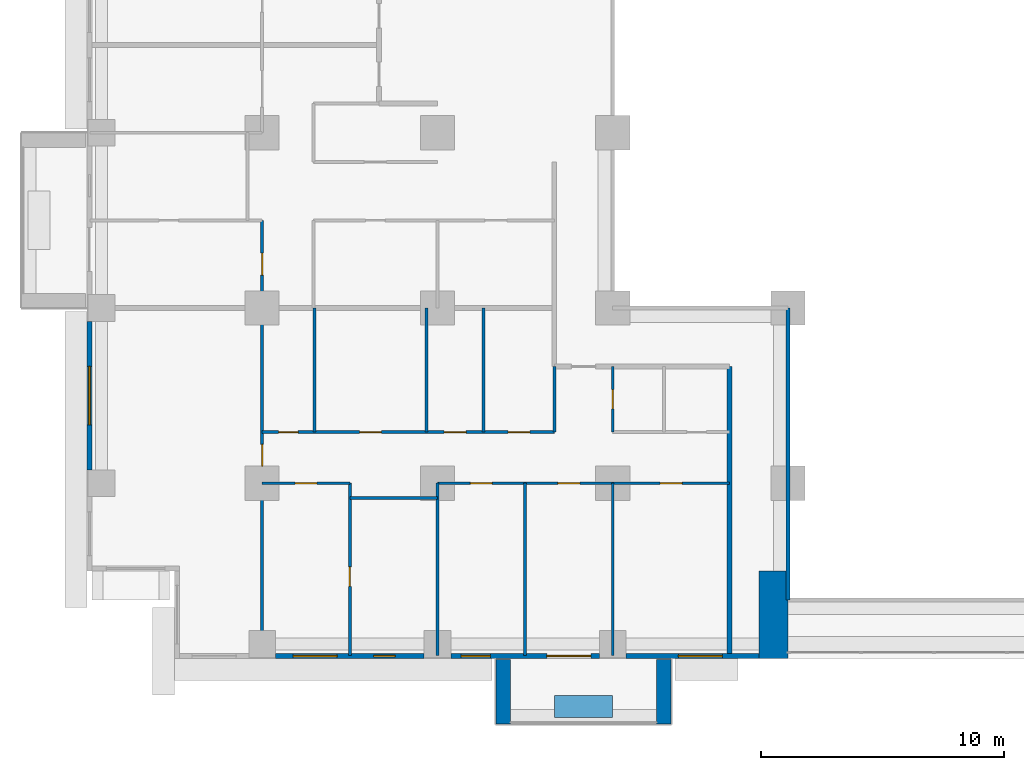
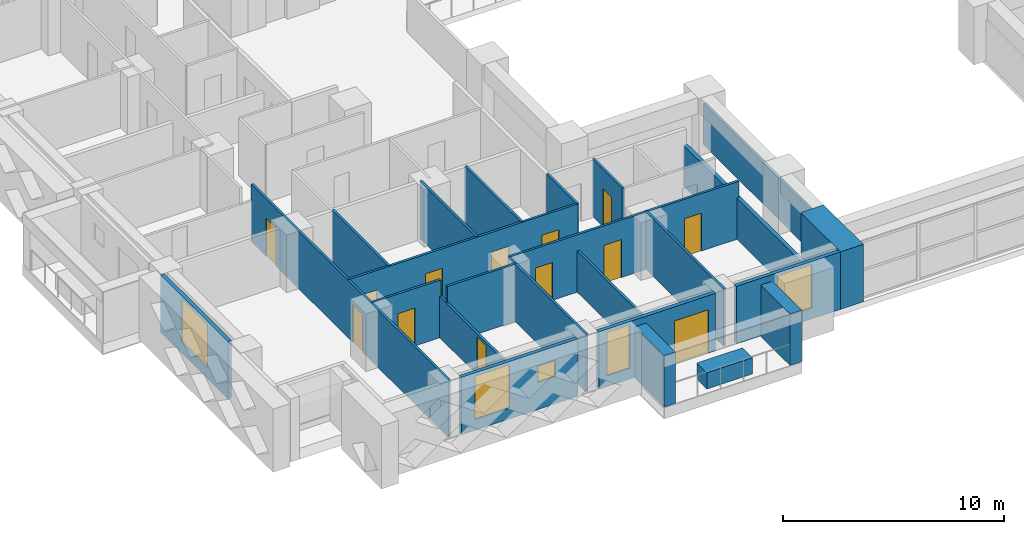
# One storey, part 6 of 17: 24 walls, 13 doors, 5 windows, 18 openings.
"""IFC4 building model written with IfcOpenShell, lengths in metres."""

from ifc_helpers import new_model, si_unit, direction, frame, frame_2d, origin, place, context, subcontext, project, spatial, rectangle, extrude, material, layer, layer_set, type_object, element, fill, save


model = new_model("IFC4")

# Units and contexts
model_context = context("Model", 3, precision=1e-05, world=origin(), true_north=direction((0.0, 1.0)))
body_context = subcontext(model_context, "Body", "Model", "MODEL_VIEW")
ifc_project = project(units=[si_unit("LENGTHUNIT", "METRE"), si_unit("AREAUNIT", "SQUARE_METRE"), si_unit("VOLUMEUNIT", "CUBIC_METRE"), si_unit("PLANEANGLEUNIT", "RADIAN"), si_unit("MASSUNIT", "GRAM", prefix="KILO")], contexts=[model_context])

# Site, building, storey
site_placement = place(None, origin())
site = spatial("IfcSite", under=ifc_project, at=site_placement, CompositionType="ELEMENT")
building_placement = place(site_placement, origin())
building = spatial("IfcBuilding", under=site, at=building_placement, Name="Saffron Iwan Residences", CompositionType="ELEMENT")
storey_placement = place(building_placement, frame((0.0, 0.0, 58.5)))
storey = spatial("IfcBuildingStorey", under=building, at=storey_placement, Name="L14", CompositionType="ELEMENT", Elevation=58.5)

# Walls
ifc_material_1 = material(Name="Fire-rated glazing", Category="glass")
ifc_layer_1 = layer(ifc_material_1, 0.14990234375)
ifc_layer_set_1 = layer_set([ifc_layer_1], Name="Fire-rated glazing")
wall_type_1 = type_object("IfcWallType", Name="Atrium glazed screen 150", PredefinedType="SOLIDWALL", material=ifc_layer_set_1)
wall_1_placement = place(storey_placement, frame((43.199951171875, 36.0, 0.0), z_axis=(0.0, 0.0, 1.0), x_axis=(0.0, 1.0, 0.0)))
element("IfcWall", 1, at=wall_1_placement, inside=storey, type_object=wall_type_1, Name="W-L14-SCREEN-v43.2-36", PredefinedType="SOLIDWALL", context=body_context, shape_type="SweptSolid", body=[
    extrude(rectangle(XDim=12.0, YDim=0.14990234375, at=frame_2d((6.0, 0.0))), origin(), (0.0, 0.0, 1.0), 2.280029296875),
])
ifc_material_2 = material(Name="Concrete C50/60 white painted", Category="concrete")
ifc_layer_2 = layer(ifc_material_2, 0.60009765625)
ifc_layer_set_2 = layer_set([ifc_layer_2], Name="Concrete C50/60 white painted")
wall_type_2 = type_object("IfcWallType", Name="BALCONY FIN 600", PredefinedType="SOLIDWALL", material=ifc_layer_set_2)
for number, where, z_axis, x_axis, name in (
    (2, (31.5, 33.550048828125, 0.0), (0.0, 0.0, 1.0), (0.0, -1.0, 0.0), "Balcony fin L14 11-0a"),
    (3, (38.10009765625, 33.550048828125, 0.0), (0.0, 0.0, 1.0), (0.0, -1.0, 0.0), "Balcony fin L14 11-0b"),
):
    element("IfcWall", number, at=place(storey_placement, frame(where, z_axis=z_axis, x_axis=x_axis)), inside=storey, type_object=wall_type_2, Name=name, PredefinedType="SOLIDWALL", context=body_context, shape_type="SweptSolid", body=[
        extrude(rectangle(XDim=2.650146484375, YDim=0.60009765625, at=frame_2d((1.3251953125, 0.0))), origin(), (0.0, 0.0, 1.0), 2.85009765625),
    ])
ifc_material_3 = material(Name="Concrete C35/45 white painted", Category="concrete")
ifc_layer_3 = layer(ifc_material_3, 0.14990234375)
ifc_layer_set_3 = layer_set([ifc_layer_3], Name="Concrete C35/45 white painted")
wall_type_3 = type_object("IfcWallType", Name="BALCONY PLANTER", PredefinedType="SOLIDWALL", material=ifc_layer_set_3)
wall_2_placement = place(storey_placement, frame((33.60009765625, 31.625, 0.0), z_axis=(0.0, 0.0, 1.0), x_axis=(1.0, 0.0, 0.0)))
element("IfcWall", 4, at=wall_2_placement, inside=storey, type_object=wall_type_3, Name="PLANTER L14 11-0", PredefinedType="SOLIDWALL", context=body_context, shape_type="SweptSolid", body=[
    extrude(rectangle(XDim=2.39990234375, YDim=0.89990234375, at=frame_2d((1.199951171875, 0.0))), origin(), (0.0, 0.0, 1.0), 0.89990234375),
])

# Wall, opening, window
ifc_material_4 = material(Name="Concrete C40/50", Category="concrete")
ifc_layer_4 = layer(ifc_material_4, 0.199951171875)
ifc_layer_set_4 = layer_set([ifc_layer_4], Name="Concrete C40/50")
wall_type_4 = type_object("IfcWallType", Name="EXTERNAL WALL 200", PredefinedType="SOLIDWALL", material=ifc_layer_set_4)
wall_3_placement = place(storey_placement, frame((14.5, 47.449951171875, 0.0), z_axis=(0.0, 0.0, 1.0), x_axis=(0.0, -1.0, 0.0)))
wall_3 = element("IfcWall", 5, at=wall_3_placement, inside=storey, type_object=wall_type_4, Name="External wall L14 F8.4", PredefinedType="SOLIDWALL", context=body_context, shape_type="SweptSolid", body=[
    extrude(rectangle(XDim=6.099853515625, YDim=0.199951171875, at=frame_2d((3.0498046875, 0.0))), origin(), (0.0, 0.0, 1.0), 3.179931640625),
])
opening_1_placement = place(wall_3_placement, frame((1.85009765625, 0.0, 0.60009765625)))
opening_1 = element("IfcOpeningElement", 6, at=opening_1_placement, cuts=wall_3, Name="Opening W1", PredefinedType="OPENING", context=body_context, shape_type="SweptSolid", body=[
    extrude(rectangle(XDim=2.39990234375, YDim=2.39990234375, at=frame_2d((1.199951171875, 1.199951171875))), frame((0.0, 0.10986328125, 0.0), z_axis=(0.0, -1.0, 0.0), x_axis=(1.0, 0.0, 0.0)), (0.0, 0.0, 1.0), 0.219970703125),
])
ifc_material_5 = material(Name="Clear glass, laminated double glazed", Category="glass")
window_type_1 = type_object("IfcWindowType", Name="WINDOW 2400 x 2400", PartitioningType="DOUBLE_PANEL_VERTICAL", PredefinedType="WINDOW", material=ifc_material_5)
window_1_placement = place(opening_1_placement, origin())
window_1 = element("IfcWindow", 7, at=window_1_placement, inside=storey, type_object=window_type_1, Name="Window L14 F8.0", OverallHeight=2.39990234375, OverallWidth=2.39990234375, PartitioningType="DOUBLE_PANEL_VERTICAL", PredefinedType="WINDOW", context=body_context, shape_type="SweptSolid", body=[
    extrude(rectangle(XDim=2.39990234375, YDim=2.39990234375, at=frame_2d((1.199951171875, 1.199951171875))), frame((0.0, 0.030029296875, 0.0), z_axis=(0.0, -1.0, 0.0), x_axis=(1.0, 0.0, 0.0)), (0.0, 0.0, 1.0), 0.06005859375),
])
fill(opening_1, window_1)

# Wall, openings, windows
wall_4_placement = place(storey_placement, frame((22.14990234375, 33.699951171875, 0.0), z_axis=(0.0, 0.0, 1.0), x_axis=(1.0, 0.0, 0.0)))
wall_4 = element("IfcWall", 8, at=wall_4_placement, inside=storey, type_object=wall_type_4, Name="External wall L14 F11.1", PredefinedType="SOLIDWALL", context=body_context, shape_type="SweptSolid", body=[
    extrude(rectangle(XDim=6.10009765625, YDim=0.199951171875, at=frame_2d((3.050048828125, 0.0))), origin(), (0.0, 0.0, 1.0), 3.179931640625),
])
opening_2_placement = place(wall_4_placement, frame((0.72509765625, 0.0, 0.60009765625)))
opening_2 = element("IfcOpeningElement", 9, at=opening_2_placement, cuts=wall_4, Name="Opening W8", PredefinedType="OPENING", context=body_context, shape_type="SweptSolid", body=[
    extrude(rectangle(XDim=1.800048828125, YDim=2.39990234375, at=frame_2d((0.89990234375, 1.199951171875))), frame((0.0, 0.10986328125, 0.0), z_axis=(0.0, -1.0, 0.0), x_axis=(1.0, 0.0, 0.0)), (0.0, 0.0, 1.0), 0.219970703125),
])
opening_3_placement = place(wall_4_placement, frame((4.02490234375, 0.0, 1.5)))
opening_3 = element("IfcOpeningElement", 10, at=opening_3_placement, cuts=wall_4, Name="Opening W6", PredefinedType="OPENING", context=body_context, shape_type="SweptSolid", body=[
    extrude(rectangle(XDim=0.89990234375, YDim=0.89990234375, at=frame_2d((0.449951171875, 0.449951171875))), frame((0.0, 0.10986328125, 0.0), z_axis=(0.0, -1.0, 0.0), x_axis=(1.0, 0.0, 0.0)), (0.0, 0.0, 1.0), 0.219970703125),
])
window_type_2 = type_object("IfcWindowType", Name="WINDOW 1800 x 2400", PartitioningType="DOUBLE_PANEL_VERTICAL", PredefinedType="WINDOW", material=ifc_material_5)
window_2_placement = place(opening_2_placement, origin())
window_2 = element("IfcWindow", 11, at=window_2_placement, inside=storey, type_object=window_type_2, Name="Window L14 F11.0", OverallHeight=2.39990234375, OverallWidth=1.800048828125, PartitioningType="DOUBLE_PANEL_VERTICAL", PredefinedType="WINDOW", context=body_context, shape_type="SweptSolid", body=[
    extrude(rectangle(XDim=1.800048828125, YDim=2.39990234375, at=frame_2d((0.89990234375, 1.199951171875))), frame((0.0, 0.030029296875, 0.0), z_axis=(0.0, -1.0, 0.0), x_axis=(1.0, 0.0, 0.0)), (0.0, 0.0, 1.0), 0.06005859375),
])
fill(opening_2, window_2)
window_type_3 = type_object("IfcWindowType", Name="WINDOW 900 x 900 BATH", PartitioningType="SINGLE_PANEL", PredefinedType="WINDOW", material=ifc_material_5)
window_3_placement = place(opening_3_placement, origin())
window_3 = element("IfcWindow", 12, at=window_3_placement, inside=storey, type_object=window_type_3, Name="Window L14 F11.1", OverallHeight=0.89990234375, OverallWidth=0.89990234375, PartitioningType="SINGLE_PANEL", PredefinedType="WINDOW", context=body_context, shape_type="SweptSolid", body=[
    extrude(rectangle(XDim=0.89990234375, YDim=0.89990234375, at=frame_2d((0.449951171875, 0.449951171875))), frame((0.0, 0.030029296875, 0.0), z_axis=(0.0, -1.0, 0.0), x_axis=(1.0, 0.0, 0.0)), (0.0, 0.0, 1.0), 0.06005859375),
])
fill(opening_3, window_3)

# Wall, openings, door, window
wall_5_placement = place(storey_placement, frame((29.35009765625, 33.699951171875, 0.0), z_axis=(0.0, 0.0, 1.0), x_axis=(1.0, 0.0, 0.0)))
wall_5 = element("IfcWall", 13, at=wall_5_placement, inside=storey, type_object=wall_type_4, Name="External wall L14 F11.2", PredefinedType="SOLIDWALL", context=body_context, shape_type="SweptSolid", body=[
    extrude(rectangle(XDim=6.099853515625, YDim=0.199951171875, at=frame_2d((3.0498046875, 0.0))), origin(), (0.0, 0.0, 1.0), 3.179931640625),
])
opening_4_placement = place(wall_5_placement, frame((3.949951171875, 0.0, 0.0)))
opening_4 = element("IfcOpeningElement", 14, at=opening_4_placement, cuts=wall_5, Name="Opening BD1", PredefinedType="OPENING", context=body_context, shape_type="SweptSolid", body=[
    extrude(rectangle(XDim=1.800048828125, YDim=2.39990234375, at=frame_2d((0.89990234375, 1.199951171875))), frame((0.0, 0.10986328125, 0.0), z_axis=(0.0, -1.0, 0.0), x_axis=(1.0, 0.0, 0.0)), (0.0, 0.0, 1.0), 0.219970703125),
])
opening_5_placement = place(wall_5_placement, frame((0.425048828125, 0.0, 0.60009765625)))
opening_5 = element("IfcOpeningElement", 15, at=opening_5_placement, cuts=wall_5, Name="Opening W3", PredefinedType="OPENING", context=body_context, shape_type="SweptSolid", body=[
    extrude(rectangle(XDim=1.199951171875, YDim=2.39990234375, at=frame_2d((0.60009765625, 1.199951171875))), frame((0.0, 0.10986328125, 0.0), z_axis=(0.0, -1.0, 0.0), x_axis=(1.0, 0.0, 0.0)), (0.0, 0.0, 1.0), 0.219970703125),
])
door_type_1 = type_object("IfcDoorType", Name="BALCONY DOOR 1800 x 2400", OperationType="DOUBLE_DOOR_SLIDING", PredefinedType="DOOR", material=ifc_material_5)
door_1_placement = place(opening_4_placement, origin())
door_1 = element("IfcDoor", 16, at=door_1_placement, inside=storey, type_object=door_type_1, Name="Balcony door L14 F11.0", OperationType="DOUBLE_DOOR_SLIDING", OverallHeight=2.39990234375, OverallWidth=1.800048828125, PredefinedType="DOOR", context=body_context, shape_type="SweptSolid", body=[
    extrude(rectangle(XDim=1.800048828125, YDim=2.39990234375, at=frame_2d((0.89990234375, 1.199951171875))), frame((0.0, 0.02490234375, 0.0), z_axis=(0.0, -1.0, 0.0), x_axis=(1.0, 0.0, 0.0)), (0.0, 0.0, 1.0), 0.050048828125),
])
fill(opening_4, door_1)
window_type_4 = type_object("IfcWindowType", Name="WINDOW 1200 x 2400", PartitioningType="SINGLE_PANEL", PredefinedType="WINDOW", material=ifc_material_5)
window_4_placement = place(opening_5_placement, origin())
window_4 = element("IfcWindow", 17, at=window_4_placement, inside=storey, type_object=window_type_4, Name="Window L14 F11.1", OverallHeight=2.39990234375, OverallWidth=1.199951171875, PartitioningType="SINGLE_PANEL", PredefinedType="WINDOW", context=body_context, shape_type="SweptSolid", body=[
    extrude(rectangle(XDim=1.199951171875, YDim=2.39990234375, at=frame_2d((0.60009765625, 1.199951171875))), frame((0.0, 0.030029296875, 0.0), z_axis=(0.0, -1.0, 0.0), x_axis=(1.0, 0.0, 0.0)), (0.0, 0.0, 1.0), 0.06005859375),
])
fill(opening_5, window_4)

# Wall, opening, window
wall_6_placement = place(storey_placement, frame((36.550048828125, 33.699951171875, 0.0), z_axis=(0.0, 0.0, 1.0), x_axis=(1.0, 0.0, 0.0)))
wall_6 = element("IfcWall", 18, at=wall_6_placement, inside=storey, type_object=wall_type_4, Name="External wall L14 F11.3", PredefinedType="SOLIDWALL", context=body_context, shape_type="SweptSolid", body=[
    extrude(rectangle(XDim=5.449951171875, YDim=0.199951171875, at=frame_2d((2.72509765625, 0.0))), origin(), (0.0, 0.0, 1.0), 3.179931640625),
])
opening_6_placement = place(wall_6_placement, frame((2.14990234375, 0.0, 0.60009765625)))
opening_6 = element("IfcOpeningElement", 19, at=opening_6_placement, cuts=wall_6, Name="Opening W8", PredefinedType="OPENING", context=body_context, shape_type="SweptSolid", body=[
    extrude(rectangle(XDim=1.800048828125, YDim=2.39990234375, at=frame_2d((0.89990234375, 1.199951171875))), frame((0.0, 0.10986328125, 0.0), z_axis=(0.0, -1.0, 0.0), x_axis=(1.0, 0.0, 0.0)), (0.0, 0.0, 1.0), 0.219970703125),
])
window_5_placement = place(opening_6_placement, origin())
window_5 = element("IfcWindow", 20, at=window_5_placement, inside=storey, type_object=window_type_2, Name="Window L14 F11.0", OverallHeight=2.39990234375, OverallWidth=1.800048828125, PartitioningType="DOUBLE_PANEL_VERTICAL", PredefinedType="WINDOW", context=body_context, shape_type="SweptSolid", body=[
    extrude(rectangle(XDim=1.800048828125, YDim=2.39990234375, at=frame_2d((0.89990234375, 1.199951171875))), frame((0.0, 0.030029296875, 0.0), z_axis=(0.0, -1.0, 0.0), x_axis=(1.0, 0.0, 0.0)), (0.0, 0.0, 1.0), 0.06005859375),
])
fill(opening_6, window_5)

# Wall
ifc_material_6 = material(Name="Gypsum board partition")
ifc_layer_5 = layer(ifc_material_6, 0.1201171875)
ifc_layer_set_5 = layer_set([ifc_layer_5], Name="Gypsum board partition")
wall_type_5 = type_object("IfcWallType", Name="Flat partition 120", PredefinedType="PARTITIONING", material=ifc_layer_set_5)
wall_7_placement = place(storey_placement, frame((25.199951171875, 40.199951171875, 0.0), z_axis=(0.0, 0.0, 1.0), x_axis=(1.0, 0.0, 0.0)))
element("IfcWall", 21, at=wall_7_placement, inside=storey, type_object=wall_type_5, Name="W-L14-PART-h40.2-25.2", PredefinedType="PARTITIONING", context=body_context, shape_type="SweptSolid", body=[
    extrude(rectangle(XDim=3.60009765625, YDim=0.1201171875, at=frame_2d((1.800048828125, 0.0))), origin(), (0.0, 0.0, 1.0), 3.179931640625),
])

# Wall, opening, door
wall_8_placement = place(storey_placement, frame((21.60009765625, 40.800048828125, 0.0), z_axis=(0.0, 0.0, 1.0), x_axis=(1.0, 0.0, 0.0)))
wall_8 = element("IfcWall", 22, at=wall_8_placement, inside=storey, type_object=wall_type_5, Name="W-L14-PART-h40.8-21.6", PredefinedType="PARTITIONING", context=body_context, shape_type="SweptSolid", body=[
    extrude(rectangle(XDim=3.599853515625, YDim=0.1201171875, at=frame_2d((1.7998046875, 0.0))), origin(), (0.0, 0.0, 1.0), 3.179931640625),
])
opening_7_placement = place(wall_8_placement, frame((1.35009765625, 0.0, 0.0)))
opening_7 = element("IfcOpeningElement", 23, at=opening_7_placement, cuts=wall_8, Name="Opening FD2", PredefinedType="OPENING", context=body_context, shape_type="SweptSolid", body=[
    extrude(rectangle(XDim=0.89990234375, YDim=2.10009765625, at=frame_2d((0.449951171875, 1.050048828125))), frame((0.0, 0.070068359375, 0.0), z_axis=(0.0, -1.0, 0.0), x_axis=(1.0, 0.0, 0.0)), (0.0, 0.0, 1.0), 0.14013671875),
])
ifc_material_7 = material(Name="Timber door", Category="wood")
door_type_2 = type_object("IfcDoorType", Name="Flat door 900", OperationType="NOTDEFINED", PredefinedType="DOOR", material=ifc_material_7)
door_2_placement = place(opening_7_placement, origin())
door_2 = element("IfcDoor", 24, at=door_2_placement, inside=storey, type_object=door_type_2, Name="Door L14-003", OperationType="SINGLE_SWING_LEFT", OverallHeight=2.10009765625, OverallWidth=0.89990234375, PredefinedType="DOOR", context=body_context, shape_type="SweptSolid", body=[
    extrude(rectangle(XDim=0.89990234375, YDim=2.10009765625, at=frame_2d((0.449951171875, 1.050048828125))), frame((0.0, 0.02490234375, 0.0), z_axis=(0.0, -1.0, 0.0), x_axis=(1.0, 0.0, 0.0)), (0.0, 0.0, 1.0), 0.050048828125),
])
fill(opening_7, door_2)

# Wall, openings, doors
wall_9_placement = place(storey_placement, frame((28.800048828125, 40.800048828125, 0.0), z_axis=(0.0, 0.0, 1.0), x_axis=(1.0, 0.0, 0.0)))
wall_9 = element("IfcWall", 25, at=wall_9_placement, inside=storey, type_object=wall_type_5, Name="W-L14-PART-h40.8-28.8", PredefinedType="PARTITIONING", context=body_context, shape_type="SweptSolid", body=[
    extrude(rectangle(XDim=12.0, YDim=0.1201171875, at=frame_2d((6.0, 0.0))), origin(), (0.0, 0.0, 1.0), 3.179931640625),
])
opening_8_placement = place(wall_9_placement, frame((1.35009765625, 0.0, 0.0)))
opening_8 = element("IfcOpeningElement", 26, at=opening_8_placement, cuts=wall_9, Name="Opening FD2", PredefinedType="OPENING", context=body_context, shape_type="SweptSolid", body=[
    extrude(rectangle(XDim=0.89990234375, YDim=2.10009765625, at=frame_2d((0.449951171875, 1.050048828125))), frame((0.0, 0.070068359375, 0.0), z_axis=(0.0, -1.0, 0.0), x_axis=(1.0, 0.0, 0.0)), (0.0, 0.0, 1.0), 0.14013671875),
])
opening_9_placement = place(wall_9_placement, frame((4.949951171875, 0.0, 0.0)))
opening_9 = element("IfcOpeningElement", 27, at=opening_9_placement, cuts=wall_9, Name="Opening FD2", PredefinedType="OPENING", context=body_context, shape_type="SweptSolid", body=[
    extrude(rectangle(XDim=0.89990234375, YDim=2.10009765625, at=frame_2d((0.449951171875, 1.050048828125))), frame((0.0, 0.070068359375, 0.0), z_axis=(0.0, -1.0, 0.0), x_axis=(1.0, 0.0, 0.0)), (0.0, 0.0, 1.0), 0.14013671875),
])
opening_10_placement = place(wall_9_placement, frame((9.14990234375, 0.0, 0.0)))
opening_10 = element("IfcOpeningElement", 28, at=opening_10_placement, cuts=wall_9, Name="Opening FD2", PredefinedType="OPENING", context=body_context, shape_type="SweptSolid", body=[
    extrude(rectangle(XDim=0.89990234375, YDim=2.10009765625, at=frame_2d((0.449951171875, 1.050048828125))), frame((0.0, 0.070068359375, 0.0), z_axis=(0.0, -1.0, 0.0), x_axis=(1.0, 0.0, 0.0)), (0.0, 0.0, 1.0), 0.14013671875),
])
door_3_placement = place(opening_8_placement, origin())
door_3 = element("IfcDoor", 29, at=door_3_placement, inside=storey, type_object=door_type_2, Name="Door L14-005", OperationType="SINGLE_SWING_RIGHT", OverallHeight=2.10009765625, OverallWidth=0.89990234375, PredefinedType="DOOR", context=body_context, shape_type="SweptSolid", body=[
    extrude(rectangle(XDim=0.89990234375, YDim=2.10009765625, at=frame_2d((0.449951171875, 1.050048828125))), frame((0.0, 0.02490234375, 0.0), z_axis=(0.0, -1.0, 0.0), x_axis=(1.0, 0.0, 0.0)), (0.0, 0.0, 1.0), 0.050048828125),
])
fill(opening_8, door_3)
door_4_placement = place(opening_9_placement, origin())
door_4 = element("IfcDoor", 30, at=door_4_placement, inside=storey, type_object=door_type_2, Name="Door L14-006", OperationType="SINGLE_SWING_LEFT", OverallHeight=2.10009765625, OverallWidth=0.89990234375, PredefinedType="DOOR", context=body_context, shape_type="SweptSolid", body=[
    extrude(rectangle(XDim=0.89990234375, YDim=2.10009765625, at=frame_2d((0.449951171875, 1.050048828125))), frame((0.0, 0.02490234375, 0.0), z_axis=(0.0, -1.0, 0.0), x_axis=(1.0, 0.0, 0.0)), (0.0, 0.0, 1.0), 0.050048828125),
])
fill(opening_9, door_4)
door_5_placement = place(opening_10_placement, origin())
door_5 = element("IfcDoor", 31, at=door_5_placement, inside=storey, type_object=door_type_2, Name="Door L14-007", OperationType="SINGLE_SWING_LEFT", OverallHeight=2.10009765625, OverallWidth=0.89990234375, PredefinedType="DOOR", context=body_context, shape_type="SweptSolid", body=[
    extrude(rectangle(XDim=0.89990234375, YDim=2.10009765625, at=frame_2d((0.449951171875, 1.050048828125))), frame((0.0, 0.02490234375, 0.0), z_axis=(0.0, -1.0, 0.0), x_axis=(1.0, 0.0, 0.0)), (0.0, 0.0, 1.0), 0.050048828125),
])
fill(opening_10, door_5)

wall_10_placement = place(storey_placement, frame((21.60009765625, 42.89990234375, 0.0), z_axis=(0.0, 0.0, 1.0), x_axis=(1.0, 0.0, 0.0)))
wall_10 = element("IfcWall", 32, at=wall_10_placement, inside=storey, type_object=wall_type_5, Name="W-L14-PART-h42.9-21.6", PredefinedType="PARTITIONING", context=body_context, shape_type="SweptSolid", body=[
    extrude(rectangle(XDim=12.0, YDim=0.1201171875, at=frame_2d((6.0, 0.0))), origin(), (0.0, 0.0, 1.0), 3.179931640625),
])
opening_11_placement = place(wall_10_placement, frame((0.675048828125, 0.0, 0.0)))
opening_11 = element("IfcOpeningElement", 33, at=opening_11_placement, cuts=wall_10, Name="Opening FD3", PredefinedType="OPENING", context=body_context, shape_type="SweptSolid", body=[
    extrude(rectangle(XDim=0.800048828125, YDim=2.10009765625, at=frame_2d((0.39990234375, 1.050048828125))), frame((0.0, 0.070068359375, 0.0), z_axis=(0.0, -1.0, 0.0), x_axis=(1.0, 0.0, 0.0)), (0.0, 0.0, 1.0), 0.14013671875),
])
opening_12_placement = place(wall_10_placement, frame((4.0, 0.0, 0.0)))
opening_12 = element("IfcOpeningElement", 34, at=opening_12_placement, cuts=wall_10, Name="Opening FD2", PredefinedType="OPENING", context=body_context, shape_type="SweptSolid", body=[
    extrude(rectangle(XDim=0.89990234375, YDim=2.10009765625, at=frame_2d((0.449951171875, 1.050048828125))), frame((0.0, 0.070068359375, 0.0), z_axis=(0.0, -1.0, 0.0), x_axis=(1.0, 0.0, 0.0)), (0.0, 0.0, 1.0), 0.14013671875),
])
opening_13_placement = place(wall_10_placement, frame((7.47509765625, 0.0, 0.0)))
opening_13 = element("IfcOpeningElement", 35, at=opening_13_placement, cuts=wall_10, Name="Opening FD2", PredefinedType="OPENING", context=body_context, shape_type="SweptSolid", body=[
    extrude(rectangle(XDim=0.89990234375, YDim=2.10009765625, at=frame_2d((0.449951171875, 1.050048828125))), frame((0.0, 0.070068359375, 0.0), z_axis=(0.0, -1.0, 0.0), x_axis=(1.0, 0.0, 0.0)), (0.0, 0.0, 1.0), 0.14013671875),
])
opening_14_placement = place(wall_10_placement, frame((10.10009765625, 0.0, 0.0)))
opening_14 = element("IfcOpeningElement", 36, at=opening_14_placement, cuts=wall_10, Name="Opening FD2", PredefinedType="OPENING", context=body_context, shape_type="SweptSolid", body=[
    extrude(rectangle(XDim=0.89990234375, YDim=2.10009765625, at=frame_2d((0.449951171875, 1.050048828125))), frame((0.0, 0.070068359375, 0.0), z_axis=(0.0, -1.0, 0.0), x_axis=(1.0, 0.0, 0.0)), (0.0, 0.0, 1.0), 0.14013671875),
])
door_type_3 = type_object("IfcDoorType", Name="Bathroom door 800", OperationType="NOTDEFINED", PredefinedType="DOOR", material=ifc_material_7)
door_6_placement = place(opening_11_placement, origin())
door_6 = element("IfcDoor", 37, at=door_6_placement, inside=storey, type_object=door_type_3, Name="Door L14-008", OperationType="SINGLE_SWING_RIGHT", OverallHeight=2.10009765625, OverallWidth=0.800048828125, PredefinedType="DOOR", context=body_context, shape_type="SweptSolid", body=[
    extrude(rectangle(XDim=0.800048828125, YDim=2.10009765625, at=frame_2d((0.39990234375, 1.050048828125))), frame((0.0, 0.02490234375, 0.0), z_axis=(0.0, -1.0, 0.0), x_axis=(1.0, 0.0, 0.0)), (0.0, 0.0, 1.0), 0.050048828125),
])
fill(opening_11, door_6)
door_7_placement = place(opening_12_placement, origin())
door_7 = element("IfcDoor", 38, at=door_7_placement, inside=storey, type_object=door_type_2, Name="Door L14-009", OperationType="SINGLE_SWING_LEFT", OverallHeight=2.10009765625, OverallWidth=0.89990234375, PredefinedType="DOOR", context=body_context, shape_type="SweptSolid", body=[
    extrude(rectangle(XDim=0.89990234375, YDim=2.10009765625, at=frame_2d((0.449951171875, 1.050048828125))), frame((0.0, 0.02490234375, 0.0), z_axis=(0.0, -1.0, 0.0), x_axis=(1.0, 0.0, 0.0)), (0.0, 0.0, 1.0), 0.050048828125),
])
fill(opening_12, door_7)
door_8_placement = place(opening_13_placement, origin())
door_8 = element("IfcDoor", 39, at=door_8_placement, inside=storey, type_object=door_type_2, Name="Door L14-010", OperationType="SINGLE_SWING_LEFT", OverallHeight=2.10009765625, OverallWidth=0.89990234375, PredefinedType="DOOR", context=body_context, shape_type="SweptSolid", body=[
    extrude(rectangle(XDim=0.89990234375, YDim=2.10009765625, at=frame_2d((0.449951171875, 1.050048828125))), frame((0.0, 0.02490234375, 0.0), z_axis=(0.0, -1.0, 0.0), x_axis=(1.0, 0.0, 0.0)), (0.0, 0.0, 1.0), 0.050048828125),
])
fill(opening_13, door_8)
door_9_placement = place(opening_14_placement, origin())
door_9 = element("IfcDoor", 40, at=door_9_placement, inside=storey, type_object=door_type_2, Name="Door L14-011", OperationType="SINGLE_SWING_RIGHT", OverallHeight=2.10009765625, OverallWidth=0.89990234375, PredefinedType="DOOR", context=body_context, shape_type="SweptSolid", body=[
    extrude(rectangle(XDim=0.89990234375, YDim=2.10009765625, at=frame_2d((0.449951171875, 1.050048828125))), frame((0.0, 0.02490234375, 0.0), z_axis=(0.0, -1.0, 0.0), x_axis=(1.0, 0.0, 0.0)), (0.0, 0.0, 1.0), 0.050048828125),
])
fill(opening_14, door_9)

wall_11_placement = place(storey_placement, frame((21.60009765625, 33.72509765625, 0.0), z_axis=(0.0, 0.0, 1.0), x_axis=(0.0, 1.0, 0.0)))
wall_11 = element("IfcWall", 41, at=wall_11_placement, inside=storey, type_object=wall_type_5, Name="W-L14-PART-v21.6-33.725", PredefinedType="PARTITIONING", context=body_context, shape_type="SweptSolid", body=[
    extrude(rectangle(XDim=17.875, YDim=0.1201171875, at=frame_2d((8.9375, 0.0))), origin(), (0.0, 0.0, 1.0), 3.179931640625),
])
opening_15_placement = place(wall_11_placement, frame((7.77490234375, 0.0, 0.0)))
opening_15 = element("IfcOpeningElement", 42, at=opening_15_placement, cuts=wall_11, Name="Opening FD2", PredefinedType="OPENING", context=body_context, shape_type="SweptSolid", body=[
    extrude(rectangle(XDim=0.89990234375, YDim=2.10009765625, at=frame_2d((0.449951171875, 1.050048828125))), frame((0.0, 0.070068359375, 0.0), z_axis=(0.0, -1.0, 0.0), x_axis=(1.0, 0.0, 0.0)), (0.0, 0.0, 1.0), 0.14013671875),
])
opening_16_placement = place(wall_11_placement, frame((15.625, 0.0, 0.0)))
opening_16 = element("IfcOpeningElement", 43, at=opening_16_placement, cuts=wall_11, Name="Opening FD2", PredefinedType="OPENING", context=body_context, shape_type="SweptSolid", body=[
    extrude(rectangle(XDim=0.89990234375, YDim=2.10009765625, at=frame_2d((0.449951171875, 1.050048828125))), frame((0.0, 0.070068359375, 0.0), z_axis=(0.0, -1.0, 0.0), x_axis=(1.0, 0.0, 0.0)), (0.0, 0.0, 1.0), 0.14013671875),
])
door_10_placement = place(opening_15_placement, origin())
door_10 = element("IfcDoor", 44, at=door_10_placement, inside=storey, type_object=door_type_2, Name="Door L14-002", OperationType="SINGLE_SWING_LEFT", OverallHeight=2.10009765625, OverallWidth=0.89990234375, PredefinedType="DOOR", context=body_context, shape_type="SweptSolid", body=[
    extrude(rectangle(XDim=0.89990234375, YDim=2.10009765625, at=frame_2d((0.449951171875, 1.050048828125))), frame((0.0, 0.02490234375, 0.0), z_axis=(0.0, -1.0, 0.0), x_axis=(1.0, 0.0, 0.0)), (0.0, 0.0, 1.0), 0.050048828125),
])
fill(opening_15, door_10)
door_11_placement = place(opening_16_placement, origin())
door_11 = element("IfcDoor", 45, at=door_11_placement, inside=storey, type_object=door_type_2, Name="Door L14-015", OperationType="SINGLE_SWING_LEFT", OverallHeight=2.10009765625, OverallWidth=0.89990234375, PredefinedType="DOOR", context=body_context, shape_type="SweptSolid", body=[
    extrude(rectangle(XDim=0.89990234375, YDim=2.10009765625, at=frame_2d((0.449951171875, 1.050048828125))), frame((0.0, 0.02490234375, 0.0), z_axis=(0.0, -1.0, 0.0), x_axis=(1.0, 0.0, 0.0)), (0.0, 0.0, 1.0), 0.050048828125),
])
fill(opening_16, door_11)

# Wall
wall_12_placement = place(storey_placement, frame((23.75, 42.89990234375, 0.0), z_axis=(0.0, 0.0, 1.0), x_axis=(0.0, 1.0, 0.0)))
element("IfcWall", 46, at=wall_12_placement, inside=storey, type_object=wall_type_5, Name="W-L14-PART-v23.75-42.9", PredefinedType="PARTITIONING", context=body_context, shape_type="SweptSolid", body=[
    extrude(rectangle(XDim=5.10009765625, YDim=0.1201171875, at=frame_2d((2.550048828125, 0.0))), origin(), (0.0, 0.0, 1.0), 3.179931640625),
])

# Wall, opening, door
wall_13_placement = place(storey_placement, frame((25.199951171875, 33.72509765625, 0.0), z_axis=(0.0, 0.0, 1.0), x_axis=(0.0, 1.0, 0.0)))
wall_13 = element("IfcWall", 47, at=wall_13_placement, inside=storey, type_object=wall_type_5, Name="W-L14-PART-v25.2-33.725", PredefinedType="PARTITIONING", context=body_context, shape_type="SweptSolid", body=[
    extrude(rectangle(XDim=7.074951171875, YDim=0.1201171875, at=frame_2d((3.53759765625, 0.0))), origin(), (0.0, 0.0, 1.0), 2.280029296875),
])
opening_17_placement = place(wall_13_placement, frame((2.83740234375, 0.0, 0.0)))
opening_17 = element("IfcOpeningElement", 48, at=opening_17_placement, cuts=wall_13, Name="Opening FD3", PredefinedType="OPENING", context=body_context, shape_type="SweptSolid", body=[
    extrude(rectangle(XDim=0.800048828125, YDim=2.10009765625, at=frame_2d((0.39990234375, 1.050048828125))), frame((0.0, 0.070068359375, 0.0), z_axis=(0.0, -1.0, 0.0), x_axis=(1.0, 0.0, 0.0)), (0.0, 0.0, 1.0), 0.14013671875),
])
door_12_placement = place(opening_17_placement, origin())
door_12 = element("IfcDoor", 49, at=door_12_placement, inside=storey, type_object=door_type_3, Name="Door L14-004", OperationType="SINGLE_SWING_LEFT", OverallHeight=2.10009765625, OverallWidth=0.800048828125, PredefinedType="DOOR", context=body_context, shape_type="SweptSolid", body=[
    extrude(rectangle(XDim=0.800048828125, YDim=2.10009765625, at=frame_2d((0.39990234375, 1.050048828125))), frame((0.0, 0.02490234375, 0.0), z_axis=(0.0, -1.0, 0.0), x_axis=(1.0, 0.0, 0.0)), (0.0, 0.0, 1.0), 0.050048828125),
])
fill(opening_17, door_12)

# Walls
wall_14_placement = place(storey_placement, frame((28.35009765625, 42.89990234375, 0.0), z_axis=(0.0, 0.0, 1.0), x_axis=(0.0, 1.0, 0.0)))
element("IfcWall", 50, at=wall_14_placement, inside=storey, type_object=wall_type_5, Name="W-L14-PART-v28.35-42.9", PredefinedType="PARTITIONING", context=body_context, shape_type="SweptSolid", body=[
    extrude(rectangle(XDim=5.10009765625, YDim=0.1201171875, at=frame_2d((2.550048828125, 0.0))), origin(), (0.0, 0.0, 1.0), 3.179931640625),
])
wall_15_placement = place(storey_placement, frame((28.800048828125, 33.72509765625, 0.0), z_axis=(0.0, 0.0, 1.0), x_axis=(0.0, 1.0, 0.0)))
element("IfcWall", 51, at=wall_15_placement, inside=storey, type_object=wall_type_5, Name="W-L14-PART-v28.8-33.725", PredefinedType="PARTITIONING", context=body_context, shape_type="SweptSolid", body=[
    extrude(rectangle(XDim=7.074951171875, YDim=0.1201171875, at=frame_2d((3.53759765625, 0.0))), origin(), (0.0, 0.0, 1.0), 3.179931640625),
])
wall_16_placement = place(storey_placement, frame((30.699951171875, 42.89990234375, 0.0), z_axis=(0.0, 0.0, 1.0), x_axis=(0.0, 1.0, 0.0)))
element("IfcWall", 52, at=wall_16_placement, inside=storey, type_object=wall_type_5, Name="W-L14-PART-v30.7-42.9", PredefinedType="PARTITIONING", context=body_context, shape_type="SweptSolid", body=[
    extrude(rectangle(XDim=5.10009765625, YDim=0.1201171875, at=frame_2d((2.550048828125, 0.0))), origin(), (0.0, 0.0, 1.0), 3.179931640625),
])
wall_17_placement = place(storey_placement, frame((32.39990234375, 33.72509765625, 0.0), z_axis=(0.0, 0.0, 1.0), x_axis=(0.0, 1.0, 0.0)))
element("IfcWall", 53, at=wall_17_placement, inside=storey, type_object=wall_type_5, Name="W-L14-PART-v32.4-33.725", PredefinedType="PARTITIONING", context=body_context, shape_type="SweptSolid", body=[
    extrude(rectangle(XDim=7.074951171875, YDim=0.1201171875, at=frame_2d((3.53759765625, 0.0))), origin(), (0.0, 0.0, 1.0), 2.280029296875),
])
wall_18_placement = place(storey_placement, frame((33.60009765625, 42.89990234375, 0.0), z_axis=(0.0, 0.0, 1.0), x_axis=(0.0, 1.0, 0.0)))
element("IfcWall", 54, at=wall_18_placement, inside=storey, type_object=wall_type_5, Name="W-L14-PART-v33.6-42.9", PredefinedType="PARTITIONING", context=body_context, shape_type="SweptSolid", body=[
    extrude(rectangle(XDim=2.7001953125, YDim=0.1201171875, at=frame_2d((1.35009765625, 0.0))), origin(), (0.0, 0.0, 1.0), 3.179931640625),
])
wall_19_placement = place(storey_placement, frame((36.0, 33.72509765625, 0.0), z_axis=(0.0, 0.0, 1.0), x_axis=(0.0, 1.0, 0.0)))
element("IfcWall", 55, at=wall_19_placement, inside=storey, type_object=wall_type_5, Name="W-L14-PART-v36-33.725", PredefinedType="PARTITIONING", context=body_context, shape_type="SweptSolid", body=[
    extrude(rectangle(XDim=7.074951171875, YDim=0.1201171875, at=frame_2d((3.53759765625, 0.0))), origin(), (0.0, 0.0, 1.0), 3.179931640625),
])

# Wall, opening, door
wall_20_placement = place(storey_placement, frame((36.0, 42.89990234375, 0.0), z_axis=(0.0, 0.0, 1.0), x_axis=(0.0, 1.0, 0.0)))
wall_20 = element("IfcWall", 56, at=wall_20_placement, inside=storey, type_object=wall_type_5, Name="W-L14-PART-v36-42.9", PredefinedType="PARTITIONING", context=body_context, shape_type="SweptSolid", body=[
    extrude(rectangle(XDim=2.7001953125, YDim=0.1201171875, at=frame_2d((1.35009765625, 0.0))), origin(), (0.0, 0.0, 1.0), 3.179931640625),
])
opening_18_placement = place(wall_20_placement, frame((0.949951171875, 0.0, 0.0)))
opening_18 = element("IfcOpeningElement", 57, at=opening_18_placement, cuts=wall_20, Name="Opening FD3", PredefinedType="OPENING", context=body_context, shape_type="SweptSolid", body=[
    extrude(rectangle(XDim=0.800048828125, YDim=2.10009765625, at=frame_2d((0.39990234375, 1.050048828125))), frame((0.0, 0.070068359375, 0.0), z_axis=(0.0, -1.0, 0.0), x_axis=(1.0, 0.0, 0.0)), (0.0, 0.0, 1.0), 0.14013671875),
])
door_13_placement = place(opening_18_placement, origin())
door_13 = element("IfcDoor", 58, at=door_13_placement, inside=storey, type_object=door_type_3, Name="Door L14-012", OperationType="SINGLE_SWING_LEFT", OverallHeight=2.10009765625, OverallWidth=0.800048828125, PredefinedType="DOOR", context=body_context, shape_type="SweptSolid", body=[
    extrude(rectangle(XDim=0.800048828125, YDim=2.10009765625, at=frame_2d((0.39990234375, 1.050048828125))), frame((0.0, 0.02490234375, 0.0), z_axis=(0.0, -1.0, 0.0), x_axis=(1.0, 0.0, 0.0)), (0.0, 0.0, 1.0), 0.050048828125),
])
fill(opening_18, door_13)

# Walls
ifc_material_8 = material(Name="Fire-rated gypsum board wall")
ifc_layer_6 = layer(ifc_material_8, 0.199951171875)
ifc_layer_set_6 = layer_set([ifc_layer_6], Name="Fire-rated gypsum board wall")
wall_type_6 = type_object("IfcWallType", Name="Gallery wall 200", PredefinedType="SOLIDWALL", material=ifc_layer_set_6)
wall_21_placement = place(storey_placement, frame((40.800048828125, 33.72509765625, 0.0), z_axis=(0.0, 0.0, 1.0), x_axis=(0.0, 1.0, 0.0)))
element("IfcWall", 59, at=wall_21_placement, inside=storey, type_object=wall_type_6, Name="W-L14-CORR-v40.8-33.725", PredefinedType="SOLIDWALL", context=body_context, shape_type="SweptSolid", body=[
    extrude(rectangle(XDim=11.875, YDim=0.199951171875, at=frame_2d((5.9375, 0.0))), origin(), (0.0, 0.0, 1.0), 2.280029296875),
])
ifc_material_9 = material(Name="Concrete C60/75", Category="concrete")
ifc_layer_7 = layer(ifc_material_9, 1.199951171875)
ifc_layer_set_7 = layer_set([ifc_layer_7], Name="Concrete C60/75")
wall_type_7 = type_object("IfcWallType", Name="WALL IWAN PIER 1200 C60/75 3180 HIGH", PredefinedType="SHEAR", material=ifc_layer_set_7)
wall_22_placement = place(storey_placement, frame((42.60009765625, 33.60009765625, 0.0), z_axis=(0.0, 0.0, 1.0), x_axis=(0.0, 1.0, 0.0)))
element("IfcWall", 60, at=wall_22_placement, inside=storey, type_object=wall_type_7, Name="IWAN PIER", PredefinedType="SHEAR", context=body_context, shape_type="SweptSolid", body=[
    extrude(rectangle(XDim=3.599853515625, YDim=1.199951171875, at=frame_2d((1.7998046875, 0.0))), origin(), (0.0, 0.0, 1.0), 3.179931640625),
])

save(model, "model.ifc")
